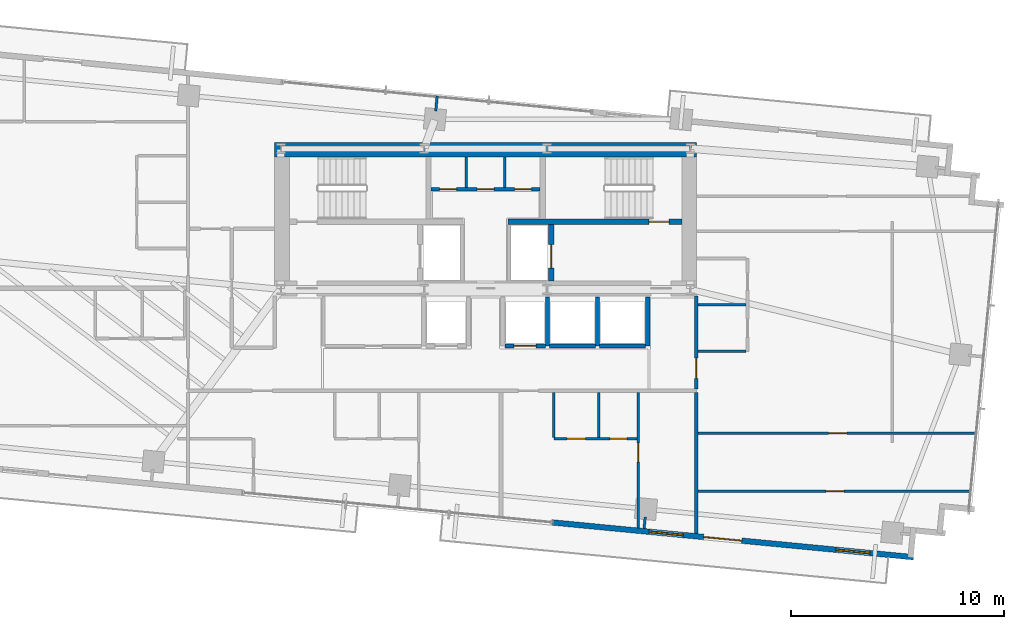
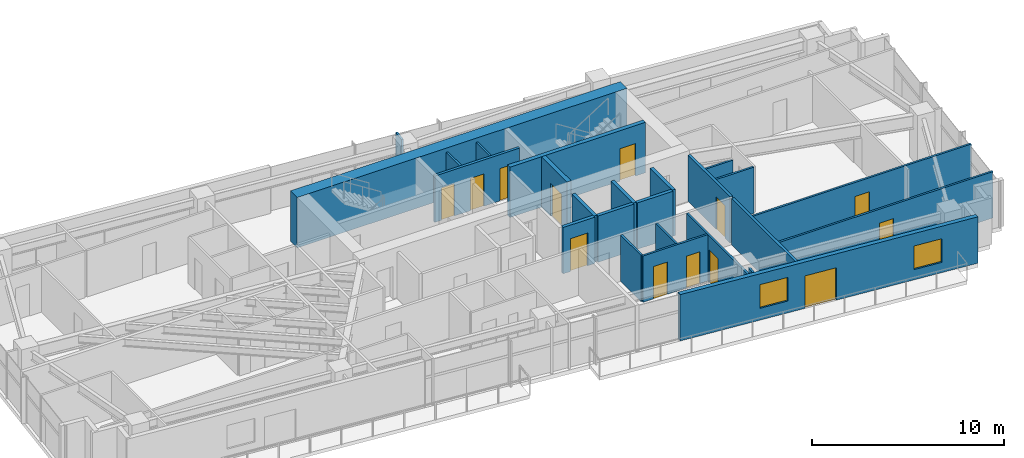
# One storey, part 17 of 20: 25 walls, 13 doors, 2 windows, 15 openings.
"""IFC4 building model written with IfcOpenShell, lengths in metres."""

from ifc_helpers import new_model, si_unit, direction, frame, frame_2d, origin, place, context, subcontext, project, spatial, rectangle, extrude, source, transform, mapped, material, layer, layer_set, type_object, type_shapes, element, fill, save


model = new_model("IFC4")

# Units and contexts
model_context = context("Model", 3, precision=1e-05, world=origin(), true_north=direction((0.0, 1.0)))
body_context = subcontext(model_context, "Body", "Model", "MODEL_VIEW")
ifc_project = project(units=[si_unit("LENGTHUNIT", "METRE"), si_unit("AREAUNIT", "SQUARE_METRE"), si_unit("VOLUMEUNIT", "CUBIC_METRE"), si_unit("PLANEANGLEUNIT", "RADIAN"), si_unit("MASSUNIT", "GRAM", prefix="KILO")], contexts=[model_context])

# Site, building, storey
site_placement = place(None, origin())
site = spatial("IfcSite", under=ifc_project, at=site_placement, CompositionType="ELEMENT")
building_placement = place(site_placement, origin())
building = spatial("IfcBuilding", under=site, at=building_placement, Name="Astriad Promenade Condominiums", CompositionType="ELEMENT")
storey_placement = place(building_placement, frame((0.0, 0.0, 137.39990234375)))
storey = spatial("IfcBuildingStorey", under=building, at=storey_placement, Name="L39", CompositionType="ELEMENT", Elevation=137.39990234375)

# Wall
ifc_material_1 = material(Name="Concrete C60/75", Category="concrete")
ifc_layer_1 = layer(ifc_material_1, 0.699951171875)
ifc_layer_set_1 = layer_set([ifc_layer_1], Name="Concrete C60/75")
wall_type_1 = type_object("IfcWallType", Name="CW-SHEAR-700", PredefinedType="SHEAR", material=ifc_layer_set_1)
wall_1_placement = place(storey_placement, frame((26.10009765625, 23.949951171875, 0.0), z_axis=(0.0, 0.0, 1.0), x_axis=(1.0, 0.0, 0.0)))
element("IfcWall", 1, at=wall_1_placement, inside=storey, type_object=wall_type_1, Name="CW-CORE-N-L39", PredefinedType="SHEAR", context=body_context, shape_type="SweptSolid", body=[
    extrude(rectangle(XDim=19.7998046875, YDim=0.699951171875, at=frame_2d((9.89990234375, 0.0))), origin(), (0.0, 0.0, 1.0), 3.2001953125),
])

# Wall, opening, door
ifc_material_2 = material(Name="Concrete C50/60", Category="concrete")
ifc_layer_2 = layer(ifc_material_2, 0.25)
ifc_layer_set_2 = layer_set([ifc_layer_2], Name="Concrete C50/60")
wall_type_2 = type_object("IfcWallType", Name="WALL-CORE-INT-250", PredefinedType="SOLIDWALL", material=ifc_layer_set_2)
wall_2_placement = place(storey_placement, frame((37.050048828125, 20.574951171875, 0.0), z_axis=(0.0, 0.0, 1.0), x_axis=(1.0, 0.0, 0.0)))
wall_2 = element("IfcWall", 2, at=wall_2_placement, inside=storey, type_object=wall_type_2, Name="CW-INT-H2-L39", PredefinedType="SOLIDWALL", context=body_context, shape_type="SweptSolid", body=[
    extrude(rectangle(XDim=8.14794921875, YDim=0.25, at=frame_2d((4.073974609375, 0.0))), origin(), (0.0, 0.0, 1.0), 3.2001953125),
])
opening_1_placement = place(wall_2_placement, frame((6.60009765625, 0.0, 0.0)))
opening_1 = element("IfcOpeningElement", 3, at=opening_1_placement, cuts=wall_2, Name="Opening FD90-ST-095", PredefinedType="OPENING", context=body_context, shape_type="SweptSolid", body=[
    extrude(rectangle(XDim=0.949951171875, YDim=2.06005859375, at=frame_2d((0.47509765625, 1.030029296875))), frame((0.0, 0.135009765625, 0.0), z_axis=(0.0, -1.0, 0.0), x_axis=(1.0, 0.0, 0.0)), (0.0, 0.0, 1.0), 0.27001953125),
])
ifc_material_3 = material(Name="Fire-Rated Hollow Metal Stair Door")
door_type_1 = type_object("IfcDoorType", Name="FD90-ST-095", OperationType="NOTDEFINED", PredefinedType="DOOR", material=ifc_material_3)
shared_shape_1 = source(origin(), body_context, "Body", "SweptSolid", [
    extrude(rectangle(XDim=0.949951171875, YDim=2.06005859375, at=frame_2d((0.47509765625, 1.030029296875))), frame((0.0, 0.02490234375, 0.0), z_axis=(0.0, -1.0, 0.0), x_axis=(1.0, 0.0, 0.0)), (0.0, 0.0, 1.0), 0.050048828125),
])
type_shapes(door_type_1, [shared_shape_1])
door_1_placement = place(opening_1_placement, origin())
door_1 = element("IfcDoor", 4, at=door_1_placement, inside=storey, type_object=door_type_1, Name="D-ST2-L39", OperationType="SINGLE_SWING_LEFT", OverallHeight=2.06005859375, OverallWidth=0.949951171875, PredefinedType="DOOR", context=body_context, shape_type="MappedRepresentation", body=[
    mapped(shared_shape_1, transform((0.0, 0.0, 0.0), scale=1.0)),
])
fill(opening_1, door_1)

wall_3_placement = place(storey_placement, frame((39.074951171875, 17.802001953125, 0.0), z_axis=(0.0, 0.0, 1.0), x_axis=(0.0, 1.0, 0.0)))
wall_3 = element("IfcWall", 5, at=wall_3_placement, inside=storey, type_object=wall_type_2, Name="CW-FFL2-E-L39", PredefinedType="SOLIDWALL", context=body_context, shape_type="SweptSolid", body=[
    extrude(rectangle(XDim=2.64599609375, YDim=0.25, at=frame_2d((1.322998046875, 0.0))), origin(), (0.0, 0.0, 1.0), 3.2001953125),
])
opening_2_placement = place(wall_3_placement, frame((0.597900390625, 0.0, 0.0)))
opening_2 = element("IfcOpeningElement", 6, at=opening_2_placement, cuts=wall_3, Name="Opening LD-FFL-1122", PredefinedType="OPENING", context=body_context, shape_type="SweptSolid", body=[
    extrude(rectangle(XDim=1.10009765625, YDim=2.080078125, at=frame_2d((0.550048828125, 1.0400390625))), frame((0.0, 0.135009765625, 0.0), z_axis=(0.0, -1.0, 0.0), x_axis=(1.0, 0.0, 0.0)), (0.0, 0.0, 1.0), 0.27001953125),
])
ifc_material_4 = material(Name="Brushed Stainless Steel Fire Elevator Landing Door", Category="steel")
door_type_2 = type_object("IfcDoorType", Name="LD-FFL-1122", OperationType="NOTDEFINED", PredefinedType="DOOR", material=ifc_material_4)
shared_shape_2 = source(origin(), body_context, "Body", "SweptSolid", [
    extrude(rectangle(XDim=1.10009765625, YDim=2.080078125, at=frame_2d((0.550048828125, 1.0400390625))), frame((0.0, 0.02490234375, 0.0), z_axis=(0.0, -1.0, 0.0), x_axis=(1.0, 0.0, 0.0)), (0.0, 0.0, 1.0), 0.050048828125),
])
type_shapes(door_type_2, [shared_shape_2])
door_2_placement = place(opening_2_placement, origin())
door_2 = element("IfcDoor", 7, at=door_2_placement, inside=storey, type_object=door_type_2, Name="Elevator Landing Door FFL-2 (L39)", OperationType="SLIDING_TO_RIGHT", OverallHeight=2.080078125, OverallWidth=1.10009765625, PredefinedType="DOOR", context=body_context, shape_type="MappedRepresentation", body=[
    mapped(shared_shape_2, transform((0.0, 0.0, 0.0), scale=1.0)),
])
fill(opening_2, door_2)

# Wall, openings, doors
ifc_material_5 = material(Name="Fire-Rated Gypsum Partition")
ifc_layer_3 = layer(ifc_material_5, 0.159912109375)
ifc_layer_set_3 = layer_set([ifc_layer_3], Name="Fire-Rated Gypsum Partition")
wall_type_3 = type_object("IfcWallType", Name="WALL-CORR-160", PredefinedType="PARTITIONING", material=ifc_layer_set_3)
wall_4_placement = place(storey_placement, frame((33.451904296875, 22.10009765625, 0.0), z_axis=(0.0, 0.0, 1.0), x_axis=(1.0, 0.0, 0.0)))
wall_4 = element("IfcWall", 8, at=wall_4_placement, inside=storey, type_object=wall_type_3, Name="CW-AUX-N-L39", PredefinedType="PARTITIONING", context=body_context, shape_type="SweptSolid", body=[
    extrude(rectangle(XDim=5.09619140625, YDim=0.159912109375, at=frame_2d((2.548095703125, 0.0))), origin(), (0.0, 0.0, 1.0), 2.940185546875),
])
opening_3_placement = place(wall_4_placement, frame((0.387939453125, 0.0, 0.0)))
opening_3 = element("IfcOpeningElement", 9, at=opening_3_placement, cuts=wall_4, Name="Opening FD60-SV-080", PredefinedType="OPENING", context=body_context, shape_type="SweptSolid", body=[
    extrude(rectangle(XDim=0.800048828125, YDim=2.050048828125, at=frame_2d((0.39990234375, 1.02490234375))), frame((0.0, 0.08984375, 0.0), z_axis=(0.0, -1.0, 0.0), x_axis=(1.0, 0.0, 0.0)), (0.0, 0.0, 1.0), 0.179931640625),
])
opening_4_placement = place(wall_4_placement, frame((2.14794921875, 0.0, 0.0)))
opening_4 = element("IfcOpeningElement", 10, at=opening_4_placement, cuts=wall_4, Name="Opening FD60-SV-080", PredefinedType="OPENING", context=body_context, shape_type="SweptSolid", body=[
    extrude(rectangle(XDim=0.800048828125, YDim=2.050048828125, at=frame_2d((0.39990234375, 1.02490234375))), frame((0.0, 0.08984375, 0.0), z_axis=(0.0, -1.0, 0.0), x_axis=(1.0, 0.0, 0.0)), (0.0, 0.0, 1.0), 0.179931640625),
])
opening_5_placement = place(wall_4_placement, frame((3.907958984375, 0.0, 0.0)))
opening_5 = element("IfcOpeningElement", 11, at=opening_5_placement, cuts=wall_4, Name="Opening FD60-SV-080", PredefinedType="OPENING", context=body_context, shape_type="SweptSolid", body=[
    extrude(rectangle(XDim=0.800048828125, YDim=2.050048828125, at=frame_2d((0.39990234375, 1.02490234375))), frame((0.0, 0.08984375, 0.0), z_axis=(0.0, -1.0, 0.0), x_axis=(1.0, 0.0, 0.0)), (0.0, 0.0, 1.0), 0.179931640625),
])
ifc_material_6 = material(Name="Fire-Rated Riser Closet Door")
door_type_3 = type_object("IfcDoorType", Name="FD60-SV-080", OperationType="NOTDEFINED", PredefinedType="DOOR", material=ifc_material_6)
shared_shape_3 = source(origin(), body_context, "Body", "SweptSolid", [
    extrude(rectangle(XDim=0.800048828125, YDim=2.050048828125, at=frame_2d((0.39990234375, 1.02490234375))), frame((0.0, 0.02490234375, 0.0), z_axis=(0.0, -1.0, 0.0), x_axis=(1.0, 0.0, 0.0)), (0.0, 0.0, 1.0), 0.050048828125),
])
type_shapes(door_type_3, [shared_shape_3])
door_3_placement = place(opening_3_placement, origin())
door_3 = element("IfcDoor", 12, at=door_3_placement, inside=storey, type_object=door_type_3, Name="D-AUX1-L39", OperationType="SINGLE_SWING_RIGHT", OverallHeight=2.050048828125, OverallWidth=0.800048828125, PredefinedType="DOOR", context=body_context, shape_type="MappedRepresentation", body=[
    mapped(shared_shape_3, transform((0.0, 0.0, 0.0), scale=1.0)),
])
fill(opening_3, door_3)
door_4_placement = place(opening_4_placement, origin())
door_4 = element("IfcDoor", 13, at=door_4_placement, inside=storey, type_object=door_type_3, Name="D-AUX2-L39", OperationType="SINGLE_SWING_LEFT", OverallHeight=2.050048828125, OverallWidth=0.800048828125, PredefinedType="DOOR", context=body_context, shape_type="MappedRepresentation", body=[
    mapped(shared_shape_3, transform((0.0, 0.0, 0.0), scale=1.0)),
])
fill(opening_4, door_4)
door_5_placement = place(opening_5_placement, origin())
door_5 = element("IfcDoor", 14, at=door_5_placement, inside=storey, type_object=door_type_3, Name="D-AUX3-L39", OperationType="SINGLE_SWING_RIGHT", OverallHeight=2.050048828125, OverallWidth=0.800048828125, PredefinedType="DOOR", context=body_context, shape_type="MappedRepresentation", body=[
    mapped(shared_shape_3, transform((0.0, 0.0, 0.0), scale=1.0)),
])
fill(opening_5, door_5)

# Wall
wall_5_placement = place(storey_placement, frame((45.8798828125, 5.95849609375, 0.0), z_axis=(0.0, 0.0, 1.0), x_axis=(0.0, 1.0, 0.0)))
element("IfcWall", 15, at=wall_5_placement, inside=storey, type_object=wall_type_3, Name="PT-COR-E-L39", PredefinedType="PARTITIONING", context=body_context, shape_type="SweptSolid", body=[
    extrude(rectangle(XDim=6.609619140625, YDim=0.159912109375, at=frame_2d((3.3046875, 0.0))), origin(), (0.0, 0.0, 1.0), 2.940185546875),
])

# Wall, opening, door
wall_6_placement = place(storey_placement, frame((45.8798828125, 12.73193359375, 0.0), z_axis=(0.0, 0.0, 1.0), x_axis=(0.0, 1.0, 0.0)))
wall_6 = element("IfcWall", 16, at=wall_6_placement, inside=storey, type_object=wall_type_3, Name="PT-COR-E-L39-S2", PredefinedType="PARTITIONING", context=body_context, shape_type="SweptSolid", body=[
    extrude(rectangle(XDim=4.365966796875, YDim=0.159912109375, at=frame_2d((2.18310546875, 0.0))), origin(), (0.0, 0.0, 1.0), 2.940185546875),
])
opening_6_placement = place(wall_6_placement, frame((0.492919921875, 0.0, 0.0)))
opening_6 = element("IfcOpeningElement", 17, at=opening_6_placement, cuts=wall_6, Name="Opening FD60-APT-095", PredefinedType="OPENING", context=body_context, shape_type="SweptSolid", body=[
    extrude(rectangle(XDim=0.949951171875, YDim=2.06005859375, at=frame_2d((0.47509765625, 1.030029296875))), frame((0.0, 0.08984375, 0.0), z_axis=(0.0, -1.0, 0.0), x_axis=(1.0, 0.0, 0.0)), (0.0, 0.0, 1.0), 0.179931640625),
])
ifc_material_7 = material(Name="Solid-Core Acoustic Timber Residence Entry Door", Category="wood")
door_type_4 = type_object("IfcDoorType", Name="FD60-APT-095", OperationType="NOTDEFINED", PredefinedType="DOOR", material=ifc_material_7)
shared_shape_4 = source(origin(), body_context, "Body", "SweptSolid", [
    extrude(rectangle(XDim=0.949951171875, YDim=2.06005859375, at=frame_2d((0.47509765625, 1.030029296875))), frame((0.0, 0.02490234375, 0.0), z_axis=(0.0, -1.0, 0.0), x_axis=(1.0, 0.0, 0.0)), (0.0, 0.0, 1.0), 0.050048828125),
])
type_shapes(door_type_4, [shared_shape_4])
door_6_placement = place(opening_6_placement, origin())
door_6 = element("IfcDoor", 18, at=door_6_placement, inside=storey, type_object=door_type_4, Name="D-ENT-L39-E1", OperationType="SINGLE_SWING_RIGHT", OverallHeight=2.06005859375, OverallWidth=0.949951171875, PredefinedType="DOOR", context=body_context, shape_type="MappedRepresentation", body=[
    mapped(shared_shape_4, transform((0.0, 0.0, 0.0), scale=1.0)),
])
fill(opening_6, door_6)

# Wall, openings, door, windows
ifc_material_8 = material(Name="Precast concrete C50/60", Category="concrete")
ifc_layer_4 = layer(ifc_material_8, 0.260009765625)
ifc_layer_set_4 = layer_set([ifc_layer_4], Name="Precast concrete C50/60")
wall_type_4 = type_object("IfcWallType", Name="WALL-EXT-TWR-260", PredefinedType="STANDARD", material=ifc_layer_set_4)
wall_7_placement = place(storey_placement, frame((56.061279296875, 4.845458984375, 0.0), z_axis=(0.0, 0.0, 1.0), x_axis=(-0.995395976631, 0.095848055311, 0.0)))
wall_7 = element("IfcWall", 19, at=wall_7_placement, inside=storey, type_object=wall_type_4, Name="W-EXT-L39-S1", PredefinedType="STANDARD", context=body_context, shape_type="SweptSolid", body=[
    extrude(rectangle(XDim=17.010009765625, YDim=0.260009765625, at=frame_2d((8.5048828125, 0.0))), origin(), (0.0, 0.0, 1.0), 2.940185546875),
])
opening_7_placement = place(wall_7_placement, frame((8.0869140625, 0.0, 0.0)))
opening_7 = element("IfcOpeningElement", 20, at=opening_7_placement, cuts=wall_7, Name="Opening BD-1822-SLD", PredefinedType="OPENING", context=body_context, shape_type="SweptSolid", body=[
    extrude(rectangle(XDim=1.800048828125, YDim=2.06005859375, at=frame_2d((0.89990234375, 1.030029296875))), frame((0.0, 0.139892578125, 0.0), z_axis=(0.0, -1.0, 0.0), x_axis=(1.0, 0.0, 0.0)), (0.0, 0.0, 1.0), 0.280029296875),
])
opening_8_placement = place(wall_7_placement, frame((2.050048828125, 0.0, 0.64990234375)))
opening_8 = element("IfcOpeningElement", 21, at=opening_8_placement, cuts=wall_7, Name="Opening WIN-TWR-1620", PredefinedType="OPENING", context=body_context, shape_type="SweptSolid", body=[
    extrude(rectangle(XDim=1.60009765625, YDim=1.5, at=frame_2d((0.800048828125, 0.75))), frame((0.0, 0.139892578125, 0.0), z_axis=(0.0, -1.0, 0.0), x_axis=(1.0, 0.0, 0.0)), (0.0, 0.0, 1.0), 0.280029296875),
])
opening_9_placement = place(wall_7_placement, frame((10.85205078125, 0.0, 0.75)))
opening_9 = element("IfcOpeningElement", 22, at=opening_9_placement, cuts=wall_7, Name="Opening WIN-TWR-1620", PredefinedType="OPENING", context=body_context, shape_type="SweptSolid", body=[
    extrude(rectangle(XDim=1.60009765625, YDim=1.5, at=frame_2d((0.800048828125, 0.75))), frame((0.0, 0.139892578125, 0.0), z_axis=(0.0, -1.0, 0.0), x_axis=(1.0, 0.0, 0.0)), (0.0, 0.0, 1.0), 0.280029296875),
])
ifc_material_9 = material(Name="Thermally Broken Aluminium Sliding Balcony Door", Category="aluminium")
door_type_5 = type_object("IfcDoorType", Name="BD-1822-SLD", OperationType="NOTDEFINED", PredefinedType="DOOR", material=ifc_material_9)
shared_shape_5 = source(origin(), body_context, "Body", "SweptSolid", [
    extrude(rectangle(XDim=1.800048828125, YDim=2.06005859375, at=frame_2d((0.89990234375, 1.030029296875))), frame((0.0, 0.02490234375, 0.0), z_axis=(0.0, -1.0, 0.0), x_axis=(1.0, 0.0, 0.0)), (0.0, 0.0, 1.0), 0.050048828125),
])
type_shapes(door_type_5, [shared_shape_5])
door_7_placement = place(opening_7_placement, origin())
door_7 = element("IfcDoor", 23, at=door_7_placement, inside=storey, type_object=door_type_5, Name="BD-L39-SE", OperationType="SLIDING_TO_RIGHT", OverallHeight=2.06005859375, OverallWidth=1.800048828125, PredefinedType="DOOR", context=body_context, shape_type="MappedRepresentation", body=[
    mapped(shared_shape_5, transform((0.0, 0.0, 0.0), scale=1.0)),
])
fill(opening_7, door_7)
ifc_material_10 = material(Name="Dark Tinted Triple-Glazed Aluminium Window", Category="aluminium")
window_type = type_object("IfcWindowType", Name="WIN-TWR-1620", PartitioningType="SINGLE_PANEL", PredefinedType="WINDOW", material=ifc_material_10)
shared_shape_6 = source(origin(), body_context, "Body", "SweptSolid", [
    extrude(rectangle(XDim=1.60009765625, YDim=1.5, at=frame_2d((0.800048828125, 0.75))), frame((0.0, 0.030029296875, 0.0), z_axis=(0.0, -1.0, 0.0), x_axis=(1.0, 0.0, 0.0)), (0.0, 0.0, 1.0), 0.06005859375),
])
type_shapes(window_type, [shared_shape_6])
window_1_placement = place(opening_8_placement, origin())
window_1 = element("IfcWindow", 24, at=window_1_placement, inside=storey, type_object=window_type, Name="WIN-L39-SE", OverallHeight=1.5, OverallWidth=1.60009765625, PartitioningType="SINGLE_PANEL", PredefinedType="WINDOW", context=body_context, shape_type="MappedRepresentation", body=[
    mapped(shared_shape_6, transform((0.0, 0.0, 0.0), scale=1.0)),
])
fill(opening_8, window_1)
window_2_placement = place(opening_9_placement, origin())
window_2 = element("IfcWindow", 25, at=window_2_placement, inside=storey, type_object=window_type, Name="WIN-DW-L39-S2-BD1", OverallHeight=1.5, OverallWidth=1.60009765625, PartitioningType="SINGLE_PANEL", PredefinedType="WINDOW", context=body_context, shape_type="MappedRepresentation", body=[
    mapped(shared_shape_6, transform((0.0, 0.0, 0.0), scale=1.0)),
])
fill(opening_9, window_2)

# Walls
ifc_material_11 = material(Name="Acoustic Metal-Stud Gypsum Partition")
ifc_layer_5 = layer(ifc_material_11, 0.1201171875)
ifc_layer_set_5 = layer_set([ifc_layer_5], Name="Acoustic Metal-Stud Gypsum Partition")
wall_type_5 = type_object("IfcWallType", Name="WALL-PART-120", PredefinedType="PARTITIONING", material=ifc_layer_set_5)
for number, where, z_axis, x_axis, name in (
    (26, (35.10009765625, 22.181884765625, 0.0), (0.0, 0.0, 1.0), (0.0, 1.0, 0.0), "CW-AUX-V1-L39"),
    (27, (36.89990234375, 22.181884765625, 0.0), (0.0, 0.0, 1.0), (0.0, 1.0, 0.0), "CW-AUX-V2-L39"),
):
    element("IfcWall", number, at=place(storey_placement, frame(where, z_axis=z_axis, x_axis=x_axis)), inside=storey, type_object=wall_type_5, Name=name, PredefinedType="PARTITIONING", context=body_context, shape_type="SweptSolid", body=[
        extrude(rectangle(XDim=1.416015625, YDim=0.1201171875, at=frame_2d((0.7080078125, 0.0))), origin(), (0.0, 0.0, 1.0), 2.940185546875),
    ])

# Wall, opening, door
wall_8_placement = place(storey_placement, frame((43.14990234375, 6.22119140625, 0.0), z_axis=(0.0, 0.0, 1.0), x_axis=(0.0, 1.0, 0.0)))
wall_8 = element("IfcWall", 28, at=wall_8_placement, inside=storey, type_object=wall_type_5, Name="PT-L39-S2-BD1", PredefinedType="PARTITIONING", context=body_context, shape_type="SweptSolid", body=[
    extrude(rectangle(XDim=6.346923828125, YDim=0.1201171875, at=frame_2d((3.17333984375, 0.0))), origin(), (0.0, 0.0, 1.0), 2.940185546875),
])
opening_10_placement = place(wall_8_placement, frame((3.07861328125, 0.0, 0.0)))
opening_10 = element("IfcOpeningElement", 29, at=opening_10_placement, cuts=wall_8, Name="Opening D-INT-090", PredefinedType="OPENING", context=body_context, shape_type="SweptSolid", body=[
    extrude(rectangle(XDim=0.89990234375, YDim=2.050048828125, at=frame_2d((0.449951171875, 1.02490234375))), frame((0.0, 0.070068359375, 0.0), z_axis=(0.0, -1.0, 0.0), x_axis=(1.0, 0.0, 0.0)), (0.0, 0.0, 1.0), 0.14013671875),
])
ifc_material_12 = material(Name="Painted Solid-Core Timber Bedroom Door", Category="wood")
door_type_6 = type_object("IfcDoorType", Name="D-INT-090", OperationType="NOTDEFINED", PredefinedType="DOOR", material=ifc_material_12)
shared_shape_7 = source(origin(), body_context, "Body", "SweptSolid", [
    extrude(rectangle(XDim=0.89990234375, YDim=2.050048828125, at=frame_2d((0.449951171875, 1.02490234375))), frame((0.0, 0.02490234375, 0.0), z_axis=(0.0, -1.0, 0.0), x_axis=(1.0, 0.0, 0.0)), (0.0, 0.0, 1.0), 0.050048828125),
])
type_shapes(door_type_6, [shared_shape_7])
door_8_placement = place(opening_10_placement, origin())
door_8 = element("IfcDoor", 30, at=door_8_placement, inside=storey, type_object=door_type_6, Name="D-BD1-L39-S2", OperationType="SINGLE_SWING_RIGHT", OverallHeight=2.050048828125, OverallWidth=0.89990234375, PredefinedType="DOOR", context=body_context, shape_type="MappedRepresentation", body=[
    mapped(shared_shape_7, transform((0.0, 0.0, 0.0), scale=1.0)),
])
fill(opening_10, door_8)

# Wall, openings, doors
wall_9_placement = place(storey_placement, frame((39.199951171875, 10.39990234375, 0.0), z_axis=(0.0, 0.0, 1.0), x_axis=(1.0, 0.0, 0.0)))
wall_9 = element("IfcWall", 31, at=wall_9_placement, inside=storey, type_object=wall_type_5, Name="PT-L39-S2-PS", PredefinedType="PARTITIONING", context=body_context, shape_type="SweptSolid", body=[
    extrude(rectangle(XDim=3.887939453125, YDim=0.1201171875, at=frame_2d((1.94384765625, 0.0))), origin(), (0.0, 0.0, 1.0), 2.940185546875),
])
opening_11_placement = place(wall_9_placement, frame((0.625, 0.0, 0.0)))
opening_11 = element("IfcOpeningElement", 32, at=opening_11_placement, cuts=wall_9, Name="Opening D-INT-085", PredefinedType="OPENING", context=body_context, shape_type="SweptSolid", body=[
    extrude(rectangle(XDim=0.85009765625, YDim=2.050048828125, at=frame_2d((0.425048828125, 1.02490234375))), frame((0.0, 0.070068359375, 0.0), z_axis=(0.0, -1.0, 0.0), x_axis=(1.0, 0.0, 0.0)), (0.0, 0.0, 1.0), 0.14013671875),
])
opening_12_placement = place(wall_9_placement, frame((2.625, 0.0, 0.0)))
opening_12 = element("IfcOpeningElement", 33, at=opening_12_placement, cuts=wall_9, Name="Opening D-WET-080", PredefinedType="OPENING", context=body_context, shape_type="SweptSolid", body=[
    extrude(rectangle(XDim=0.800048828125, YDim=2.02001953125, at=frame_2d((0.39990234375, 1.010009765625))), frame((0.0, 0.070068359375, 0.0), z_axis=(0.0, -1.0, 0.0), x_axis=(1.0, 0.0, 0.0)), (0.0, 0.0, 1.0), 0.14013671875),
])
ifc_material_13 = material(Name="Moisture-Resistant Timber Bathroom Door", Category="wood")
door_type_7 = type_object("IfcDoorType", Name="D-WET-080", OperationType="NOTDEFINED", PredefinedType="DOOR", material=ifc_material_13)
shared_shape_8 = source(origin(), body_context, "Body", "SweptSolid", [
    extrude(rectangle(XDim=0.800048828125, YDim=2.02001953125, at=frame_2d((0.39990234375, 1.010009765625))), frame((0.0, 0.02490234375, 0.0), z_axis=(0.0, -1.0, 0.0), x_axis=(1.0, 0.0, 0.0)), (0.0, 0.0, 1.0), 0.050048828125),
])
type_shapes(door_type_7, [shared_shape_8])
door_9_placement = place(opening_12_placement, origin())
door_9 = element("IfcDoor", 34, at=door_9_placement, inside=storey, type_object=door_type_7, Name="D-BTH-L39-S2", OperationType="SINGLE_SWING_RIGHT", OverallHeight=2.02001953125, OverallWidth=0.800048828125, PredefinedType="DOOR", context=body_context, shape_type="MappedRepresentation", body=[
    mapped(shared_shape_8, transform((0.0, 0.0, 0.0), scale=1.0)),
])
fill(opening_12, door_9)
ifc_material_14 = material(Name="Painted Solid-Core Timber Room Door", Category="wood")
door_type_8 = type_object("IfcDoorType", Name="D-INT-085", OperationType="NOTDEFINED", PredefinedType="DOOR", material=ifc_material_14)
shared_shape_9 = source(origin(), body_context, "Body", "SweptSolid", [
    extrude(rectangle(XDim=0.85009765625, YDim=2.050048828125, at=frame_2d((0.425048828125, 1.02490234375))), frame((0.0, 0.02490234375, 0.0), z_axis=(0.0, -1.0, 0.0), x_axis=(1.0, 0.0, 0.0)), (0.0, 0.0, 1.0), 0.050048828125),
])
type_shapes(door_type_8, [shared_shape_9])
door_10_placement = place(opening_11_placement, origin())
door_10 = element("IfcDoor", 35, at=door_10_placement, inside=storey, type_object=door_type_8, Name="D-KIT-L39-S2", OperationType="SINGLE_SWING_LEFT", OverallHeight=2.050048828125, OverallWidth=0.85009765625, PredefinedType="DOOR", context=body_context, shape_type="MappedRepresentation", body=[
    mapped(shared_shape_9, transform((0.0, 0.0, 0.0), scale=1.0)),
])
fill(opening_11, door_10)

# Walls
for number, where, z_axis, x_axis, name in (
    (36, (41.300048828125, 10.4619140625, 0.0), (0.0, 0.0, 1.0), (0.0, 1.0, 0.0), "PT-L39-S2-PBK"),
    (37, (39.199951171875, 10.4619140625, 0.0), (0.0, 0.0, 1.0), (0.0, 1.0, 0.0), "PT-L39-S2-PKW"),
):
    element("IfcWall", number, at=place(storey_placement, frame(where, z_axis=z_axis, x_axis=x_axis)), inside=storey, type_object=wall_type_5, Name=name, PredefinedType="PARTITIONING", context=body_context, shape_type="SweptSolid", body=[
        extrude(rectangle(XDim=2.106201171875, YDim=0.1201171875, at=frame_2d((1.05322265625, 0.0))), origin(), (0.0, 0.0, 1.0), 2.940185546875),
    ])
wall_10_placement = place(storey_placement, frame((45.9619140625, 16.675048828125, 0.0), z_axis=(0.0, 0.0, 1.0), x_axis=(1.0, 0.0, 0.0)))
element("IfcWall", 38, at=wall_10_placement, inside=storey, type_object=wall_type_5, Name="PT-L39-E1-PM", PredefinedType="PARTITIONING", context=body_context, shape_type="SweptSolid", body=[
    extrude(rectangle(XDim=2.256103515625, YDim=0.1201171875, at=frame_2d((1.1279296875, 0.0))), origin(), (0.0, 0.0, 1.0), 2.06298828125),
])
wall_11_placement = place(storey_placement, frame((45.9619140625, 14.5, 0.0), z_axis=(0.0, 0.0, 1.0), x_axis=(1.0, 0.0, 0.0)))
element("IfcWall", 39, at=wall_11_placement, inside=storey, type_object=wall_type_5, Name="PT-L39-E1-PS", PredefinedType="PARTITIONING", context=body_context, shape_type="SweptSolid", body=[
    extrude(rectangle(XDim=2.256103515625, YDim=0.1201171875, at=frame_2d((1.1279296875, 0.0))), origin(), (0.0, 0.0, 1.0), 2.940185546875),
])

# Wall, opening, door
wall_12_placement = place(storey_placement, frame((45.9619140625, 7.931884765625, 0.0), z_axis=(0.0, 0.0, 1.0), x_axis=(1.0, 0.0, 0.0)))
wall_12 = element("IfcWall", 40, at=wall_12_placement, inside=storey, type_object=wall_type_5, Name="PT-L39-E1-B2", PredefinedType="PARTITIONING", context=body_context, shape_type="SweptSolid", body=[
    extrude(rectangle(XDim=12.827880859375, YDim=0.1201171875, at=frame_2d((6.4140625, 0.0))), origin(), (0.0, 0.0, 1.0), 2.940185546875),
])
opening_13_placement = place(wall_12_placement, frame((5.9951171875, 0.0, 0.0)))
opening_13 = element("IfcOpeningElement", 41, at=opening_13_placement, cuts=wall_12, Name="Opening D-INT-085", PredefinedType="OPENING", context=body_context, shape_type="SweptSolid", body=[
    extrude(rectangle(XDim=0.85009765625, YDim=2.050048828125, at=frame_2d((0.425048828125, 1.02490234375))), frame((0.0, 0.070068359375, 0.0), z_axis=(0.0, -1.0, 0.0), x_axis=(1.0, 0.0, 0.0)), (0.0, 0.0, 1.0), 0.14013671875),
])
door_11_placement = place(opening_13_placement, origin())
door_11 = element("IfcDoor", 42, at=door_11_placement, inside=storey, type_object=door_type_8, Name="D-BD2-L39-E1", OperationType="SINGLE_SWING_RIGHT", OverallHeight=2.050048828125, OverallWidth=0.85009765625, PredefinedType="DOOR", context=body_context, shape_type="MappedRepresentation", body=[
    mapped(shared_shape_9, transform((0.0, 0.0, 0.0), scale=1.0)),
])
fill(opening_13, door_11)

wall_13_placement = place(storey_placement, frame((45.9619140625, 10.6640625, 0.0), z_axis=(0.0, 0.0, 1.0), x_axis=(1.0, 0.0, 0.0)))
wall_13 = element("IfcWall", 43, at=wall_13_placement, inside=storey, type_object=wall_type_5, Name="PT-L39-E1-WDS1", PredefinedType="PARTITIONING", context=body_context, shape_type="SweptSolid", body=[
    extrude(rectangle(XDim=13.0908203125, YDim=0.1201171875, at=frame_2d((6.54541015625, 0.0))), origin(), (0.0, 0.0, 1.0), 2.940185546875),
])
opening_14_placement = place(wall_13_placement, frame((6.126953125, 0.0, 0.0)))
opening_14 = element("IfcOpeningElement", 44, at=opening_14_placement, cuts=wall_13, Name="Opening D-INT-085", PredefinedType="OPENING", context=body_context, shape_type="SweptSolid", body=[
    extrude(rectangle(XDim=0.85009765625, YDim=2.050048828125, at=frame_2d((0.425048828125, 1.02490234375))), frame((0.0, 0.070068359375, 0.0), z_axis=(0.0, -1.0, 0.0), x_axis=(1.0, 0.0, 0.0)), (0.0, 0.0, 1.0), 0.14013671875),
])
door_12_placement = place(opening_14_placement, origin())
door_12 = element("IfcDoor", 45, at=door_12_placement, inside=storey, type_object=door_type_8, Name="D-WDS1-L39-E1", OperationType="SINGLE_SWING_LEFT", OverallHeight=2.050048828125, OverallWidth=0.85009765625, PredefinedType="DOOR", context=body_context, shape_type="MappedRepresentation", body=[
    mapped(shared_shape_9, transform((0.0, 0.0, 0.0), scale=1.0)),
])
fill(opening_14, door_12)

# Walls
wall_14_placement = place(storey_placement, frame((43.48388671875, 6.7294921875, 0.0), z_axis=(0.0, 0.0, 1.0), x_axis=(-0.095772948675, -0.995403205893, 0.0)))
element("IfcWall", 46, at=wall_14_placement, inside=storey, type_object=wall_type_5, Name="PT-PIL-L39-PC04-11", PredefinedType="PARTITIONING", context=body_context, shape_type="SweptSolid", body=[
    extrude(rectangle(XDim=0.537841796875, YDim=0.1201171875, at=frame_2d((0.26904296875, 0.0))), origin(), (0.0, 0.0, 1.0), 2.940185546875),
])
wall_15_placement = place(storey_placement, frame((33.66259765625, 25.758544921875, 0.0), z_axis=(0.0, 0.0, 1.0), x_axis=(0.095977354523, 0.995383517755, 0.0)))
element("IfcWall", 47, at=wall_15_placement, inside=storey, type_object=wall_type_5, Name="PT-PIL-L39-PC08-15", PredefinedType="PARTITIONING", context=body_context, shape_type="SweptSolid", body=[
    extrude(rectangle(XDim=0.719970703125, YDim=0.1201171875, at=frame_2d((0.35986328125, 0.0))), origin(), (0.0, 0.0, 1.0), 2.940185546875),
])
ifc_material_15 = material(Name="Gypsum Shaftliner Assembly")
ifc_layer_6 = layer(ifc_material_15, 0.199951171875)
ifc_layer_set_6 = layer_set([ifc_layer_6], Name="Gypsum Shaftliner Assembly")
wall_type_6 = type_object("IfcWallType", Name="WALL-SHAFT-200", PredefinedType="PARTITIONING", material=ifc_layer_set_6)
wall_16_placement = place(storey_placement, frame((38.89990234375, 14.75, 0.0), z_axis=(0.0, 0.0, 1.0), x_axis=(0.0, 1.0, 0.0)))
element("IfcWall", 48, at=wall_16_placement, inside=storey, type_object=wall_type_6, Name="PL-MH-DIV-L39", PredefinedType="PARTITIONING", context=body_context, shape_type="SweptSolid", body=[
    extrude(rectangle(XDim=2.300048828125, YDim=0.199951171875, at=frame_2d((1.14990234375, 0.0))), origin(), (0.0, 0.0, 1.0), 2.940185546875),
])

# Wall, opening, door
wall_17_placement = place(storey_placement, frame((36.902099609375, 14.75, 0.0), z_axis=(0.0, 0.0, 1.0), x_axis=(1.0, 0.0, 0.0)))
wall_17 = element("IfcWall", 49, at=wall_17_placement, inside=storey, type_object=wall_type_6, Name="PL-M2-F-L39", PredefinedType="PARTITIONING", context=body_context, shape_type="SweptSolid", body=[
    extrude(rectangle(XDim=1.89599609375, YDim=0.199951171875, at=frame_2d((0.947998046875, 0.0))), origin(), (0.0, 0.0, 1.0), 2.940185546875),
])
opening_15_placement = place(wall_17_placement, frame((0.423095703125, 0.0, 0.0)))
opening_15 = element("IfcOpeningElement", 50, at=opening_15_placement, cuts=wall_17, Name="Opening LD-PL-10522", PredefinedType="OPENING", context=body_context, shape_type="SweptSolid", body=[
    extrude(rectangle(XDim=1.050048828125, YDim=2.080078125, at=frame_2d((0.52490234375, 1.0400390625))), frame((0.0, 0.10986328125, 0.0), z_axis=(0.0, -1.0, 0.0), x_axis=(1.0, 0.0, 0.0)), (0.0, 0.0, 1.0), 0.219970703125),
])
ifc_material_16 = material(Name="Brushed Bronze Passenger Elevator Landing Door")
door_type_9 = type_object("IfcDoorType", Name="LD-PL-10522", OperationType="NOTDEFINED", PredefinedType="DOOR", material=ifc_material_16)
shared_shape_10 = source(origin(), body_context, "Body", "SweptSolid", [
    extrude(rectangle(XDim=1.050048828125, YDim=2.080078125, at=frame_2d((0.52490234375, 1.0400390625))), frame((0.0, 0.02490234375, 0.0), z_axis=(0.0, -1.0, 0.0), x_axis=(1.0, 0.0, 0.0)), (0.0, 0.0, 1.0), 0.050048828125),
])
type_shapes(door_type_9, [shared_shape_10])
door_13_placement = place(opening_15_placement, origin())
door_13 = element("IfcDoor", 51, at=door_13_placement, inside=storey, type_object=door_type_9, Name="Elevator Landing Door PL-M2 (L39)", OperationType="SLIDING_TO_RIGHT", OverallHeight=2.080078125, OverallWidth=1.050048828125, PredefinedType="DOOR", context=body_context, shape_type="MappedRepresentation", body=[
    mapped(shared_shape_10, transform((0.0, 0.0, 0.0), scale=1.0)),
])
fill(opening_15, door_13)

# Walls
for number, where, z_axis, x_axis, name in (
    (52, (41.25, 14.75, 0.0), (0.0, 0.0, 1.0), (0.0, 1.0, 0.0), "PL-H-DIV-L39"),
    (53, (43.60009765625, 14.75, 0.0), (0.0, 0.0, 1.0), (0.0, 1.0, 0.0), "PL-E-OUT-L39"),
):
    element("IfcWall", number, at=place(storey_placement, frame(where, z_axis=z_axis, x_axis=x_axis)), inside=storey, type_object=wall_type_6, Name=name, PredefinedType="PARTITIONING", context=body_context, shape_type="SweptSolid", body=[
        extrude(rectangle(XDim=2.300048828125, YDim=0.199951171875, at=frame_2d((1.14990234375, 0.0))), origin(), (0.0, 0.0, 1.0), 2.940185546875),
    ])
for number, where, z_axis, x_axis, name in (
    (54, (39.001953125, 14.75, 0.0), (0.0, 0.0, 1.0), (1.0, 0.0, 0.0), "PL-H-FRT-L39"),
    (55, (41.35205078125, 14.75, 0.0), (0.0, 0.0, 1.0), (1.0, 0.0, 0.0), "PL-H-FRT-L39-S2"),
):
    element("IfcWall", number, at=place(storey_placement, frame(where, z_axis=z_axis, x_axis=x_axis)), inside=storey, type_object=wall_type_6, Name=name, PredefinedType="PARTITIONING", context=body_context, shape_type="SweptSolid", body=[
        extrude(rectangle(XDim=2.14599609375, YDim=0.199951171875, at=frame_2d((1.072998046875, 0.0))), origin(), (0.0, 0.0, 1.0), 2.940185546875),
    ])

save(model, "model.ifc")
